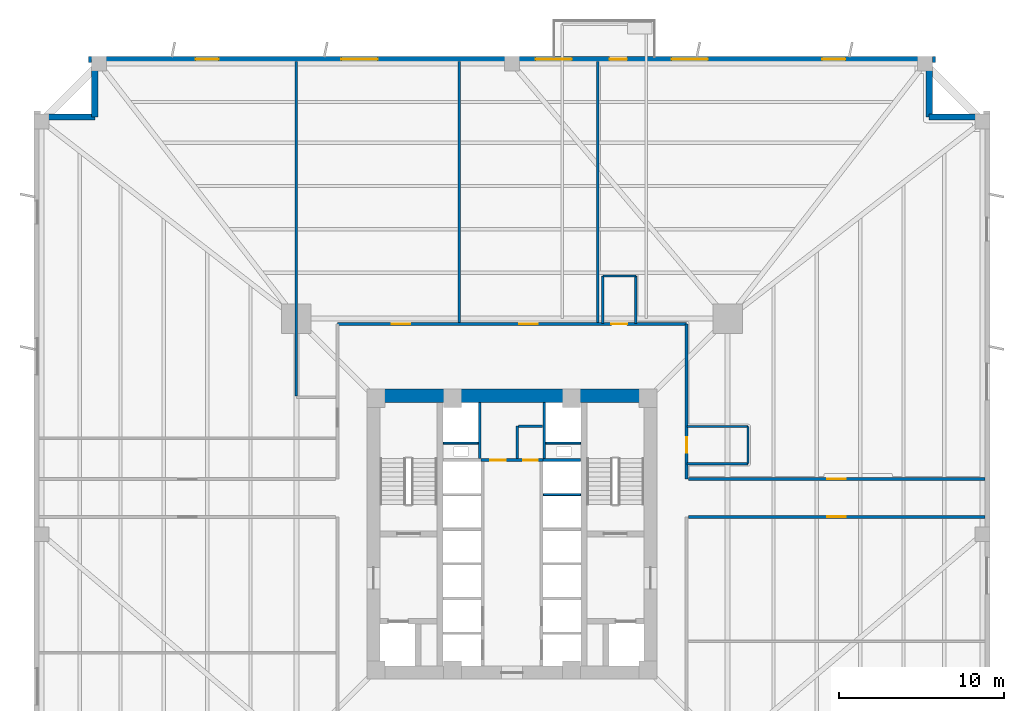
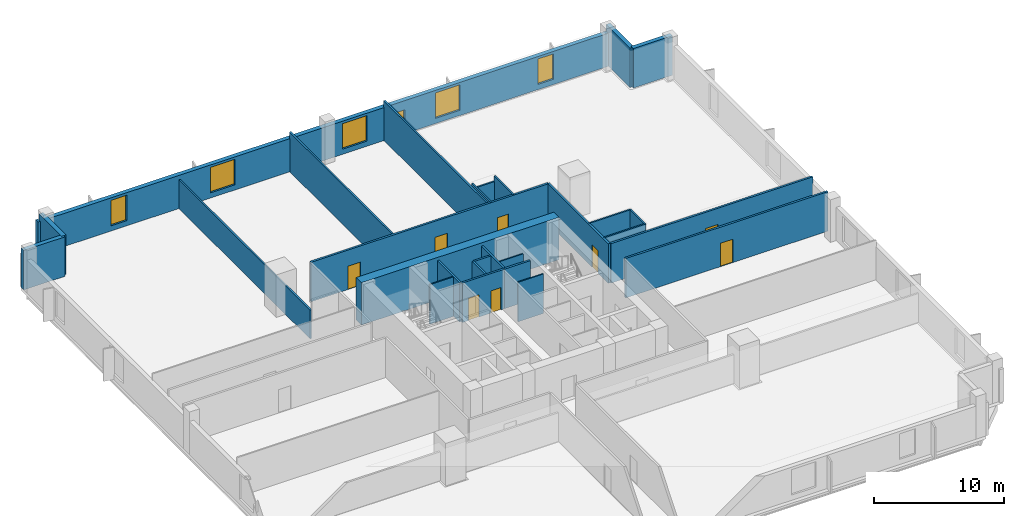
# One storey, part 4 of 8: 28 walls, 9 doors, 5 windows, 14 openings.
"""IFC4 building model written with IfcOpenShell, lengths in metres."""

from ifc_helpers import new_model, si_unit, direction, frame, frame_2d, origin, place, context, subcontext, project, spatial, rectangle, extrude, source, transform, mapped, material, layer, layer_set, type_object, element, fill, save


model = new_model("IFC4")

# Units and contexts
model_context = context("Model", 3, precision=1e-05, world=origin(), true_north=direction((0.0, 1.0)))
body_context = subcontext(model_context, "Body", "Model", "MODEL_VIEW")
ifc_project = project(units=[si_unit("LENGTHUNIT", "METRE"), si_unit("AREAUNIT", "SQUARE_METRE"), si_unit("VOLUMEUNIT", "CUBIC_METRE"), si_unit("PLANEANGLEUNIT", "RADIAN"), si_unit("MASSUNIT", "GRAM", prefix="KILO"), si_unit("THERMODYNAMICTEMPERATUREUNIT", "KELVIN")], contexts=[model_context])

# Site, building, storey
site_placement = place(None, origin())
site = spatial("IfcSite", under=ifc_project, at=site_placement, CompositionType="ELEMENT")
building_placement = place(site_placement, origin())
building = spatial("IfcBuilding", under=site, at=building_placement, Name="Kosmvard Interchange Tower", CompositionType="ELEMENT")
storey_placement = place(building_placement, frame((0.0, 0.0, 66.0)))
storey = spatial("IfcBuildingStorey", under=building, at=storey_placement, Name="L15", CompositionType="ELEMENT", Elevation=66.0)

# Walls
ifc_material_1 = material(Name="Acoustic gypsum partition system")
ifc_layer_1 = layer(ifc_material_1, 0.14990234375, Name="Acoustic gypsum partition system")
ifc_layer_set_1 = layer_set([ifc_layer_1], Name="Acoustic gypsum partition system")
wall_type_1 = type_object("IfcWallType", Name="Acoustic Suite & Meeting Partition 150", PredefinedType="PARTITIONING", material=ifc_layer_set_1)
wall_1_placement = place(storey_placement, frame((-13.0810546875, 8.375, 0.0), z_axis=(0.0, 0.0, 1.0), x_axis=(0.0, 1.0, 0.0)))
element("IfcWall", 1, at=wall_1_placement, inside=storey, type_object=wall_type_1, Name="L15 Room Partition 02.1", PredefinedType="PARTITIONING", context=body_context, shape_type="SweptSolid", body=[
    extrude(rectangle(XDim=20.31005859375, YDim=0.14990234375, at=frame_2d((10.155029296875, 0.0))), origin(), (0.0, 0.0, 1.0), 2.7119140625),
])
for number, where, z_axis, x_axis, name in (
    (2, (-3.199951171875, 12.844970703125, 0.0), (0.0, 0.0, 1.0), (0.0, 1.0, 0.0), "L15 Room Partition 03.1"),
    (3, (5.199951171875, 12.844970703125, 0.0), (0.0, 0.0, 1.0), (0.0, 1.0, 0.0), "L15 Room Partition 04.1"),
):
    element("IfcWall", number, at=place(storey_placement, frame(where, z_axis=z_axis, x_axis=x_axis)), inside=storey, type_object=wall_type_1, Name=name, PredefinedType="PARTITIONING", context=body_context, shape_type="SweptSolid", body=[
        extrude(rectangle(XDim=15.840087890625, YDim=0.14990234375, at=frame_2d((7.919921875, 0.0))), origin(), (0.0, 0.0, 1.0), 3.719970703125),
    ])
ifc_material_2 = material(Name="Fire-rated gypsum partition system")
ifc_layer_2 = layer(ifc_material_2, 0.159912109375, Name="Fire-rated gypsum partition system")
ifc_layer_set_2 = layer_set([ifc_layer_2], Name="Fire-rated gypsum partition system")
wall_type_2 = type_object("IfcWallType", Name="Core Compartment & Shuttle Lobby Partition 160", PredefinedType="PARTITIONING", material=ifc_layer_set_2)
for number, where, z_axis, x_axis, name in (
    (4, (-1.9599609375, 4.580078125, 0.0), (0.0, 0.0, 1.0), (0.0, 1.0, 0.0), "L15 North Core West Wall"),
    (5, (1.9599609375, 4.580078125, 0.0), (0.0, 0.0, 1.0), (0.0, 1.0, 0.0), "L15 North Core East Wall"),
):
    element("IfcWall", number, at=place(storey_placement, frame(where, z_axis=z_axis, x_axis=x_axis)), inside=storey, type_object=wall_type_2, Name=name, PredefinedType="PARTITIONING", context=body_context, shape_type="SweptSolid", body=[
        extrude(rectangle(XDim=3.39990234375, YDim=0.159912109375, at=frame_2d((1.699951171875, 0.0))), origin(), (0.0, 0.0, 1.0), 3.719970703125),
    ])
ifc_material_3 = material(Name="Concrete blockwork masonry", Category="masonry")
ifc_layer_3 = layer(ifc_material_3, 0.159912109375, Name="Concrete blockwork masonry")
ifc_layer_set_3 = layer_set([ifc_layer_3], Name="Concrete blockwork masonry")
wall_type_3 = type_object("IfcWallType", Name="Core Enclosure Split Wall 160", PredefinedType="PARTITIONING", material=ifc_layer_set_3)
wall_2_placement = place(storey_placement, frame((0.320068359375, 4.60009765625, 0.0), z_axis=(0.0, 0.0, 1.0), x_axis=(0.0, 1.0, 0.0)))
element("IfcWall", 6, at=wall_2_placement, inside=storey, type_object=wall_type_3, Name="L15 Core K3 L-Wall 1", PredefinedType="PARTITIONING", context=body_context, shape_type="SweptSolid", body=[
    extrude(rectangle(XDim=1.949951171875, YDim=0.159912109375, at=frame_2d((0.97509765625, 0.0))), origin(), (0.0, 0.0, 1.0), 3.719970703125),
])
wall_3_placement = place(storey_placement, frame((0.39990234375, 6.550048828125, 0.0), z_axis=(0.0, 0.0, 1.0), x_axis=(1.0, 0.0, 0.0)))
element("IfcWall", 7, at=wall_3_placement, inside=storey, type_object=wall_type_3, Name="L15 Core K3 L-Wall 2", PredefinedType="PARTITIONING", context=body_context, shape_type="SweptSolid", body=[
    extrude(rectangle(XDim=1.460205078125, YDim=0.159912109375, at=frame_2d((0.72998046875, 0.0))), origin(), (0.0, 0.0, 1.0), 3.719970703125),
])

# Wall, openings, doors
ifc_layer_4 = layer(ifc_material_2, 0.179931640625, Name="Fire-rated gypsum partition system")
ifc_layer_set_4 = layer_set([ifc_layer_4], Name="Fire-rated gypsum partition system")
wall_type_4 = type_object("IfcWallType", Name="Corridor & Hotel Compartment Partition 180", PredefinedType="PARTITIONING", material=ifc_layer_set_4)
wall_4_placement = place(storey_placement, frame((-1.8798828125, 4.489990234375, 0.0), z_axis=(0.0, 0.0, 1.0), x_axis=(1.0, 0.0, 0.0)))
wall_4 = element("IfcWall", 8, at=wall_4_placement, inside=storey, type_object=wall_type_4, Name="L15 Lift Lobby North Partition", PredefinedType="PARTITIONING", context=body_context, shape_type="SweptSolid", body=[
    extrude(rectangle(XDim=3.759765625, YDim=0.179931640625, at=frame_2d((1.8798828125, 0.0))), origin(), (0.0, 0.0, 1.0), 3.719970703125),
])
opening_1_placement = place(wall_4_placement, frame((0.550048828125, 0.0, 0.0)))
opening_1 = element("IfcOpeningElement", 9, at=opening_1_placement, cuts=wall_4, Name="Opening L15-KD1", PredefinedType="OPENING", context=body_context, shape_type="SweptSolid", body=[
    extrude(rectangle(XDim=0.949951171875, YDim=2.10009765625, at=frame_2d((0.47509765625, 1.050048828125))), frame((0.0, 0.10009765625, 0.0), z_axis=(0.0, -1.0, 0.0), x_axis=(1.0, 0.0, 0.0)), (0.0, 0.0, 1.0), 0.199951171875),
])
opening_2_placement = place(wall_4_placement, frame((2.56005859375, 0.0, 0.0)))
opening_2 = element("IfcOpeningElement", 10, at=opening_2_placement, cuts=wall_4, Name="Opening L15-KD2", PredefinedType="OPENING", context=body_context, shape_type="SweptSolid", body=[
    extrude(rectangle(XDim=0.8798828125, YDim=2.10009765625, at=frame_2d((0.43994140625, 1.050048828125))), frame((0.0, 0.10009765625, 0.0), z_axis=(0.0, -1.0, 0.0), x_axis=(1.0, 0.0, 0.0)), (0.0, 0.0, 1.0), 0.199951171875),
])
ifc_material_4 = material(Name="Painted fire-rated timber leaf", Category="wood")
door_type_1 = type_object("IfcDoorType", Name="Core Service Fire Door 950x2100 EI30", OperationType="NOTDEFINED", PredefinedType="DOOR", material=ifc_material_4)
shared_shape_1 = source(origin(), body_context, "Body", "SweptSolid", [
    extrude(rectangle(XDim=0.949951171875, YDim=2.10009765625, at=frame_2d((0.47509765625, 1.050048828125))), frame((0.0, 0.02490234375, 0.0), z_axis=(0.0, -1.0, 0.0), x_axis=(1.0, 0.0, 0.0)), (0.0, 0.0, 1.0), 0.050048828125),
])
door_1_placement = place(opening_1_placement, origin())
door_1 = element("IfcDoor", 11, at=door_1_placement, inside=storey, type_object=door_type_1, Name="L15 Core Archive Store Door", OperationType="SINGLE_SWING_LEFT", OverallHeight=2.10009765625, OverallWidth=0.949951171875, PredefinedType="DOOR", context=body_context, shape_type="MappedRepresentation", body=[
    mapped(shared_shape_1, transform((0.0, 0.0, 0.0), scale=1.0)),
])
fill(opening_1, door_1)
door_type_2 = type_object("IfcDoorType", Name="Core Cupboard Fire Door 880x2100 EI30", OperationType="NOTDEFINED", PredefinedType="DOOR", material=ifc_material_4)
shared_shape_2 = source(origin(), body_context, "Body", "SweptSolid", [
    extrude(rectangle(XDim=0.8798828125, YDim=2.10009765625, at=frame_2d((0.43994140625, 1.050048828125))), frame((0.0, 0.02490234375, 0.0), z_axis=(0.0, -1.0, 0.0), x_axis=(1.0, 0.0, 0.0)), (0.0, 0.0, 1.0), 0.050048828125),
])
door_2_placement = place(opening_2_placement, origin())
door_2 = element("IfcDoor", 12, at=door_2_placement, inside=storey, type_object=door_type_2, Name="L15 Core Supplies Cupboard Door", OperationType="SINGLE_SWING_RIGHT", OverallHeight=2.10009765625, OverallWidth=0.8798828125, PredefinedType="DOOR", context=body_context, shape_type="MappedRepresentation", body=[
    mapped(shared_shape_2, transform((0.0, 0.0, 0.0), scale=1.0)),
])
fill(opening_2, door_2)

wall_5_placement = place(storey_placement, frame((-10.60009765625, 12.75, 0.0), z_axis=(0.0, 0.0, 1.0), x_axis=(1.0, 0.0, 0.0)))
wall_5 = element("IfcWall", 13, at=wall_5_placement, inside=storey, type_object=wall_type_4, Name="L15 Corridor Wall CN", PredefinedType="PARTITIONING", context=body_context, shape_type="SweptSolid", body=[
    extrude(rectangle(XDim=21.2001953125, YDim=0.179931640625, at=frame_2d((10.60009765625, 0.0))), origin(), (0.0, 0.0, 1.0), 3.719970703125),
])
opening_3_placement = place(wall_5_placement, frame((16.635986328125, 0.0, 0.0)))
opening_3 = element("IfcOpeningElement", 14, at=opening_3_placement, cuts=wall_5, Name="Opening L15-D01", PredefinedType="OPENING", context=body_context, shape_type="SweptSolid", body=[
    extrude(rectangle(XDim=0.949951171875, YDim=2.10009765625, at=frame_2d((0.47509765625, 1.050048828125))), frame((0.0, 0.10009765625, 0.0), z_axis=(0.0, -1.0, 0.0), x_axis=(1.0, 0.0, 0.0)), (0.0, 0.0, 1.0), 0.199951171875),
])
opening_4_placement = place(wall_5_placement, frame((3.314453125, 0.0, 0.0)))
opening_4 = element("IfcOpeningElement", 15, at=opening_4_placement, cuts=wall_5, Name="Opening L15-D05", PredefinedType="OPENING", context=body_context, shape_type="SweptSolid", body=[
    extrude(rectangle(XDim=1.10009765625, YDim=2.199951171875, at=frame_2d((0.550048828125, 1.10009765625))), frame((0.0, 0.10009765625, 0.0), z_axis=(0.0, -1.0, 0.0), x_axis=(1.0, 0.0, 0.0)), (0.0, 0.0, 1.0), 0.199951171875),
])
opening_5_placement = place(wall_5_placement, frame((11.050048828125, 0.0, 0.0)))
opening_5 = element("IfcOpeningElement", 16, at=opening_5_placement, cuts=wall_5, Name="Opening L15-D06", PredefinedType="OPENING", context=body_context, shape_type="SweptSolid", body=[
    extrude(rectangle(XDim=1.10009765625, YDim=2.199951171875, at=frame_2d((0.550048828125, 1.10009765625))), frame((0.0, 0.10009765625, 0.0), z_axis=(0.0, -1.0, 0.0), x_axis=(1.0, 0.0, 0.0)), (0.0, 0.0, 1.0), 0.199951171875),
])
ifc_material_5 = material(Name="Laminated moisture-resistant timber", Category="wood")
door_type_3 = type_object("IfcDoorType", Name="Accessible Washroom Door 950x2100", OperationType="NOTDEFINED", PredefinedType="DOOR", material=ifc_material_5)
door_3_placement = place(opening_3_placement, origin())
door_3 = element("IfcDoor", 17, at=door_3_placement, inside=storey, type_object=door_type_3, Name="L15 Accessible Toilet Door", OperationType="SINGLE_SWING_LEFT", OverallHeight=2.10009765625, OverallWidth=0.949951171875, PredefinedType="DOOR", context=body_context, shape_type="MappedRepresentation", body=[
    mapped(shared_shape_1, transform((0.0, 0.0, 0.0), scale=1.0)),
])
fill(opening_3, door_3)
ifc_material_6 = material(Name="Engineered oak fire-rated timber", Category="wood")
door_type_4 = type_object("IfcDoorType", Name="Office Suite Entrance Door 1100x2200 FD30S", OperationType="NOTDEFINED", PredefinedType="DOOR", material=ifc_material_6)
shared_shape_3 = source(origin(), body_context, "Body", "SweptSolid", [
    extrude(rectangle(XDim=1.10009765625, YDim=2.199951171875, at=frame_2d((0.550048828125, 1.10009765625))), frame((0.0, 0.02490234375, 0.0), z_axis=(0.0, -1.0, 0.0), x_axis=(1.0, 0.0, 0.0)), (0.0, 0.0, 1.0), 0.050048828125),
])
door_4_placement = place(opening_4_placement, origin())
door_4 = element("IfcDoor", 18, at=door_4_placement, inside=storey, type_object=door_type_4, Name="L15 Executive Reading Study Door", OperationType="SINGLE_SWING_LEFT", OverallHeight=2.199951171875, OverallWidth=1.10009765625, PredefinedType="DOOR", context=body_context, shape_type="MappedRepresentation", body=[
    mapped(shared_shape_3, transform((0.0, 0.0, 0.0), scale=1.0)),
])
fill(opening_4, door_4)
door_5_placement = place(opening_5_placement, origin())
door_5 = element("IfcDoor", 19, at=door_5_placement, inside=storey, type_object=door_type_4, Name="L15 Tenant Club Lounge Door", OperationType="SINGLE_SWING_RIGHT", OverallHeight=2.199951171875, OverallWidth=1.10009765625, PredefinedType="DOOR", context=body_context, shape_type="MappedRepresentation", body=[
    mapped(shared_shape_3, transform((0.0, 0.0, 0.0), scale=1.0)),
])
fill(opening_5, door_5)

# Wall, opening, door
wall_6_placement = place(storey_placement, frame((10.60009765625, 3.35009765625, 0.0), z_axis=(0.0, 0.0, 1.0), x_axis=(0.0, 1.0, 0.0)))
wall_6 = element("IfcWall", 20, at=wall_6_placement, inside=storey, type_object=wall_type_4, Name="L15 Corridor Wall CEN", PredefinedType="PARTITIONING", context=body_context, shape_type="SweptSolid", body=[
    extrude(rectangle(XDim=9.39990234375, YDim=0.179931640625, at=frame_2d((4.699951171875, 0.0))), origin(), (0.0, 0.0, 1.0), 3.719970703125),
])
opening_6_placement = place(wall_6_placement, frame((1.580078125, 0.0, 0.0)))
opening_6 = element("IfcOpeningElement", 21, at=opening_6_placement, cuts=wall_6, Name="Opening L15-D02", PredefinedType="OPENING", context=body_context, shape_type="SweptSolid", body=[
    extrude(rectangle(XDim=0.949951171875, YDim=2.10009765625, at=frame_2d((0.47509765625, 1.050048828125))), frame((0.0, 0.10009765625, 0.0), z_axis=(0.0, -1.0, 0.0), x_axis=(1.0, 0.0, 0.0)), (0.0, 0.0, 1.0), 0.199951171875),
])
door_6_placement = place(opening_6_placement, frame((0.949951171875, 0.0, 0.0), z_axis=(0.0, 0.0, 1.0), x_axis=(-1.0, 0.0, 0.0)))
door_6 = element("IfcDoor", 22, at=door_6_placement, inside=storey, type_object=door_type_3, Name="L15 Public Floor Washroom Door", OperationType="SINGLE_SWING_RIGHT", OverallHeight=2.10009765625, OverallWidth=0.949951171875, PredefinedType="DOOR", context=body_context, shape_type="MappedRepresentation", body=[
    mapped(shared_shape_1, transform((0.0, 0.0, 0.0), scale=1.0)),
])
fill(opening_6, door_6)

wall_7_placement = place(storey_placement, frame((10.699951171875, 1.050048828125, 0.0), z_axis=(0.0, 0.0, 1.0), x_axis=(1.0, 0.0, 0.0)))
wall_7 = element("IfcWall", 23, at=wall_7_placement, inside=storey, type_object=wall_type_4, Name="L15 Corridor Wall SES", PredefinedType="PARTITIONING", context=body_context, shape_type="SweptSolid", body=[
    extrude(rectangle(XDim=17.985107421875, YDim=0.179931640625, at=frame_2d((8.99267578125, 0.0))), origin(), (0.0, 0.0, 1.0), 3.719970703125),
])
opening_7_placement = place(wall_7_placement, frame((8.4423828125, 0.0, 0.0)))
opening_7 = element("IfcOpeningElement", 24, at=opening_7_placement, cuts=wall_7, Name="Opening L15-D08", PredefinedType="OPENING", context=body_context, shape_type="SweptSolid", body=[
    extrude(rectangle(XDim=1.10009765625, YDim=2.199951171875, at=frame_2d((0.550048828125, 1.10009765625))), frame((0.0, 0.10009765625, 0.0), z_axis=(0.0, -1.0, 0.0), x_axis=(1.0, 0.0, 0.0)), (0.0, 0.0, 1.0), 0.199951171875),
])
door_7_placement = place(opening_7_placement, frame((1.10009765625, 0.0, 0.0), z_axis=(0.0, 0.0, 1.0), x_axis=(-1.0, 0.0, 0.0)))
door_7 = element("IfcDoor", 25, at=door_7_placement, inside=storey, type_object=door_type_4, Name="L15 East Partner Office 1 Door", OperationType="SINGLE_SWING_RIGHT", OverallHeight=2.199951171875, OverallWidth=1.10009765625, PredefinedType="DOOR", context=body_context, shape_type="MappedRepresentation", body=[
    mapped(shared_shape_3, transform((0.0, 0.0, 0.0), scale=1.0)),
])
fill(opening_7, door_7)

wall_8_placement = place(storey_placement, frame((10.699951171875, 3.35009765625, 0.0), z_axis=(0.0, 0.0, 1.0), x_axis=(1.0, 0.0, 0.0)))
wall_8 = element("IfcWall", 26, at=wall_8_placement, inside=storey, type_object=wall_type_4, Name="L15 Corridor Wall SEN", PredefinedType="PARTITIONING", context=body_context, shape_type="SweptSolid", body=[
    extrude(rectangle(XDim=17.985107421875, YDim=0.179931640625, at=frame_2d((8.99267578125, 0.0))), origin(), (0.0, 0.0, 1.0), 3.719970703125),
])
opening_8_placement = place(wall_8_placement, frame((8.4423828125, 0.0, 0.0)))
opening_8 = element("IfcOpeningElement", 27, at=opening_8_placement, cuts=wall_8, Name="Opening L15-D07", PredefinedType="OPENING", context=body_context, shape_type="SweptSolid", body=[
    extrude(rectangle(XDim=1.10009765625, YDim=2.199951171875, at=frame_2d((0.550048828125, 1.10009765625))), frame((0.0, 0.10009765625, 0.0), z_axis=(0.0, -1.0, 0.0), x_axis=(1.0, 0.0, 0.0)), (0.0, 0.0, 1.0), 0.199951171875),
])
door_8_placement = place(opening_8_placement, origin())
door_8 = element("IfcDoor", 28, at=door_8_placement, inside=storey, type_object=door_type_4, Name="L15 North-East Open Workplace Door", OperationType="SINGLE_SWING_LEFT", OverallHeight=2.199951171875, OverallWidth=1.10009765625, PredefinedType="DOOR", context=body_context, shape_type="MappedRepresentation", body=[
    mapped(shared_shape_3, transform((0.0, 0.0, 0.0), scale=1.0)),
])
fill(opening_8, door_8)

# Walls
ifc_material_7 = material(Name="Concrete C80/95", Category="concrete")
ifc_layer_5 = layer(ifc_material_7, 0.800048828125, Name="Concrete C80/95")
ifc_layer_set_5 = layer_set([ifc_layer_5], Name="Concrete C80/95")
wall_type_5 = type_object("IfcWallType", Name="Lower Core Shear Wall 800 C80/95", PredefinedType="SHEAR", material=ifc_layer_set_5)
wall_9_placement = place(storey_placement, frame((-8.800048828125, 8.39990234375, 0.0), z_axis=(0.0, 0.0, 1.0), x_axis=(1.0, 0.0, 0.0)))
element("IfcWall", 29, at=wall_9_placement, inside=storey, type_object=wall_type_5, Name="L15 Core Shear Wall CW-N", PredefinedType="SHEAR", context=body_context, shape_type="SweptSolid", body=[
    extrude(rectangle(XDim=17.60009765625, YDim=0.800048828125, at=frame_2d((8.800048828125, 0.0))), origin(), (0.0, 0.0, 1.0), 4.0),
])
ifc_material_8 = material(Name="Precast concrete C45/55", Category="concrete")
ifc_layer_6 = layer(ifc_material_8, 0.3798828125, Name="Precast concrete C45/55")
ifc_layer_set_6 = layer_set([ifc_layer_6], Name="Precast concrete C45/55")
wall_type_6 = type_object("IfcWallType", Name="Lower Tower Precast Pier Wall 380 C45/55", PredefinedType="STANDARD", material=ifc_layer_set_6)
wall_10_placement = place(storey_placement, frame((28.81005859375, 25.31005859375, 0.0), z_axis=(0.0, 0.0, 1.0), x_axis=(-1.0, 0.0, 0.0)))
element("IfcWall", 30, at=wall_10_placement, inside=storey, type_object=wall_type_6, Name="L15 Precast Facade Wall N-NE1", PredefinedType="STANDARD", context=body_context, shape_type="SweptSolid", body=[
    extrude(rectangle(XDim=3.5, YDim=0.3798828125, at=frame_2d((1.75, 0.0))), origin(), (0.0, 0.0, 1.0), 3.719970703125),
])
wall_11_placement = place(storey_placement, frame((25.31005859375, 25.31005859375, 0.0), z_axis=(0.0, 0.0, 1.0), x_axis=(0.0, 1.0, 0.0)))
element("IfcWall", 31, at=wall_11_placement, inside=storey, type_object=wall_type_6, Name="L15 Precast Facade Wall N-NE2", PredefinedType="STANDARD", context=body_context, shape_type="SweptSolid", body=[
    extrude(rectangle(XDim=3.68994140625, YDim=0.3798828125, at=frame_2d((1.844970703125, 0.0))), origin(), (0.0, 0.0, 1.0), 3.719970703125),
])

# Wall, openings, door, windows
wall_12_placement = place(storey_placement, frame((25.68994140625, 28.81005859375, 0.0), z_axis=(0.0, 0.0, 1.0), x_axis=(-1.0, 0.0, 0.0)))
wall_12 = element("IfcWall", 32, at=wall_12_placement, inside=storey, type_object=wall_type_6, Name="L15 Precast Facade Wall F-N", PredefinedType="STANDARD", context=body_context, shape_type="SweptSolid", body=[
    extrude(rectangle(XDim=51.3798828125, YDim=0.3798828125, at=frame_2d((25.68994140625, 0.0))), origin(), (0.0, 0.0, 1.0), 3.1201171875),
])
opening_9_placement = place(wall_12_placement, frame((18.715087890625, 0.0, 0.0)))
opening_9 = element("IfcOpeningElement", 33, at=opening_9_placement, cuts=wall_12, Name="Opening L15-BDN", PredefinedType="OPENING", context=body_context, shape_type="SweptSolid", body=[
    extrude(rectangle(XDim=1.050048828125, YDim=2.25, at=frame_2d((0.52490234375, 1.125))), frame((0.0, 0.199951171875, 0.0), z_axis=(0.0, -1.0, 0.0), x_axis=(1.0, 0.0, 0.0)), (0.0, 0.0, 1.0), 0.39990234375),
])
opening_10_placement = place(wall_12_placement, frame((5.465576171875, 0.0, 0.489990234375)))
opening_10 = element("IfcOpeningElement", 34, at=opening_10_placement, cuts=wall_12, Name="Opening L15-W10", PredefinedType="OPENING", context=body_context, shape_type="SweptSolid", body=[
    extrude(rectangle(XDim=1.39990234375, YDim=2.39990234375, at=frame_2d((0.699951171875, 1.199951171875))), frame((0.0, 0.199951171875, 0.0), z_axis=(0.0, -1.0, 0.0), x_axis=(1.0, 0.0, 0.0)), (0.0, 0.0, 1.0), 0.39990234375),
])
opening_11_placement = place(wall_12_placement, frame((13.80029296875, 0.0, 0.489990234375)))
opening_11 = element("IfcOpeningElement", 35, at=opening_11_placement, cuts=wall_12, Name="Opening L15-W11", PredefinedType="OPENING", context=body_context, shape_type="SweptSolid", body=[
    extrude(rectangle(XDim=2.199951171875, YDim=2.39990234375, at=frame_2d((1.10009765625, 1.199951171875))), frame((0.0, 0.199951171875, 0.0), z_axis=(0.0, -1.0, 0.0), x_axis=(1.0, 0.0, 0.0)), (0.0, 0.0, 1.0), 0.39990234375),
])
opening_12_placement = place(wall_12_placement, frame((22.0625, 0.0, 0.489990234375)))
opening_12 = element("IfcOpeningElement", 36, at=opening_12_placement, cuts=wall_12, Name="Opening L15-W12", PredefinedType="OPENING", context=body_context, shape_type="SweptSolid", body=[
    extrude(rectangle(XDim=2.199951171875, YDim=2.39990234375, at=frame_2d((1.10009765625, 1.199951171875))), frame((0.0, 0.199951171875, 0.0), z_axis=(0.0, -1.0, 0.0), x_axis=(1.0, 0.0, 0.0)), (0.0, 0.0, 1.0), 0.39990234375),
])
opening_13_placement = place(wall_12_placement, frame((33.83837890625, 0.0, 0.489990234375)))
opening_13 = element("IfcOpeningElement", 37, at=opening_13_placement, cuts=wall_12, Name="Opening L15-W13", PredefinedType="OPENING", context=body_context, shape_type="SweptSolid", body=[
    extrude(rectangle(XDim=2.199951171875, YDim=2.39990234375, at=frame_2d((1.10009765625, 1.199951171875))), frame((0.0, 0.199951171875, 0.0), z_axis=(0.0, -1.0, 0.0), x_axis=(1.0, 0.0, 0.0)), (0.0, 0.0, 1.0), 0.39990234375),
])
opening_14_placement = place(wall_12_placement, frame((43.48681640625, 0.0, 0.489990234375)))
opening_14 = element("IfcOpeningElement", 38, at=opening_14_placement, cuts=wall_12, Name="Opening L15-W14", PredefinedType="OPENING", context=body_context, shape_type="SweptSolid", body=[
    extrude(rectangle(XDim=1.39990234375, YDim=2.39990234375, at=frame_2d((0.699951171875, 1.199951171875))), frame((0.0, 0.199951171875, 0.0), z_axis=(0.0, -1.0, 0.0), x_axis=(1.0, 0.0, 0.0)), (0.0, 0.0, 1.0), 0.39990234375),
])
ifc_material_9 = material(Name="Anodised aluminium and safety glass", Category="aluminium")
door_type_5 = type_object("IfcDoorType", Name="Tree-Balcony Glazed Door 1050x2250", OperationType="NOTDEFINED", PredefinedType="DOOR", material=ifc_material_9)
shared_shape_4 = source(origin(), body_context, "Body", "SweptSolid", [
    extrude(rectangle(XDim=1.050048828125, YDim=2.25, at=frame_2d((0.52490234375, 1.125))), frame((0.0, 0.02490234375, 0.0), z_axis=(0.0, -1.0, 0.0), x_axis=(1.0, 0.0, 0.0)), (0.0, 0.0, 1.0), 0.050048828125),
])
door_9_placement = place(opening_9_placement, origin())
door_9 = element("IfcDoor", 39, at=door_9_placement, inside=storey, type_object=door_type_5, Name="L15 Tree-Balcony Door BAL-L15-N", OperationType="SINGLE_SWING_RIGHT", OverallHeight=2.25, OverallWidth=1.050048828125, PredefinedType="DOOR", context=body_context, shape_type="MappedRepresentation", body=[
    mapped(shared_shape_4, transform((0.0, 0.0, 0.0), scale=1.0)),
])
fill(opening_9, door_9)
ifc_material_10 = material(Name="Low-E solar-control double glazing", Category="glass")
window_type_1 = type_object("IfcWindowType", Name="Notched Corner Feature Window 1400x2400", PartitioningType="SINGLE_PANEL", PredefinedType="WINDOW", material=ifc_material_10)
shared_shape_5 = source(origin(), body_context, "Body", "SweptSolid", [
    extrude(rectangle(XDim=1.39990234375, YDim=2.39990234375, at=frame_2d((0.699951171875, 1.199951171875))), frame((0.0, 0.030029296875, 0.0), z_axis=(0.0, -1.0, 0.0), x_axis=(1.0, 0.0, 0.0)), (0.0, 0.0, 1.0), 0.06005859375),
])
window_1_placement = place(opening_10_placement, origin())
window_1 = element("IfcWindow", 40, at=window_1_placement, inside=storey, type_object=window_type_1, Name="L15 Facade Punched Window 10", OverallHeight=2.39990234375, OverallWidth=1.39990234375, PartitioningType="SINGLE_PANEL", PredefinedType="WINDOW", context=body_context, shape_type="MappedRepresentation", body=[
    mapped(shared_shape_5, transform((0.0, 0.0, 0.0), scale=1.0)),
])
fill(opening_10, window_1)
window_2_placement = place(opening_14_placement, origin())
window_2 = element("IfcWindow", 41, at=window_2_placement, inside=storey, type_object=window_type_1, Name="L15 Facade Punched Window 14", OverallHeight=2.39990234375, OverallWidth=1.39990234375, PartitioningType="SINGLE_PANEL", PredefinedType="WINDOW", context=body_context, shape_type="MappedRepresentation", body=[
    mapped(shared_shape_5, transform((0.0, 0.0, 0.0), scale=1.0)),
])
fill(opening_14, window_2)
window_type_2 = type_object("IfcWindowType", Name="Zone 1 Office Punched Window 2200x2400", PartitioningType="SINGLE_PANEL", PredefinedType="WINDOW", material=ifc_material_10)
shared_shape_6 = source(origin(), body_context, "Body", "SweptSolid", [
    extrude(rectangle(XDim=2.199951171875, YDim=2.39990234375, at=frame_2d((1.10009765625, 1.199951171875))), frame((0.0, 0.030029296875, 0.0), z_axis=(0.0, -1.0, 0.0), x_axis=(1.0, 0.0, 0.0)), (0.0, 0.0, 1.0), 0.06005859375),
])
window_3_placement = place(opening_11_placement, origin())
window_3 = element("IfcWindow", 42, at=window_3_placement, inside=storey, type_object=window_type_2, Name="L15 Facade Punched Window 11", OverallHeight=2.39990234375, OverallWidth=2.199951171875, PartitioningType="SINGLE_PANEL", PredefinedType="WINDOW", context=body_context, shape_type="MappedRepresentation", body=[
    mapped(shared_shape_6, transform((0.0, 0.0, 0.0), scale=1.0)),
])
fill(opening_11, window_3)
window_4_placement = place(opening_12_placement, origin())
window_4 = element("IfcWindow", 43, at=window_4_placement, inside=storey, type_object=window_type_2, Name="L15 Facade Punched Window 12", OverallHeight=2.39990234375, OverallWidth=2.199951171875, PartitioningType="SINGLE_PANEL", PredefinedType="WINDOW", context=body_context, shape_type="MappedRepresentation", body=[
    mapped(shared_shape_6, transform((0.0, 0.0, 0.0), scale=1.0)),
])
fill(opening_12, window_4)
window_5_placement = place(opening_13_placement, origin())
window_5 = element("IfcWindow", 44, at=window_5_placement, inside=storey, type_object=window_type_2, Name="L15 Facade Punched Window 13", OverallHeight=2.39990234375, OverallWidth=2.199951171875, PartitioningType="SINGLE_PANEL", PredefinedType="WINDOW", context=body_context, shape_type="MappedRepresentation", body=[
    mapped(shared_shape_6, transform((0.0, 0.0, 0.0), scale=1.0)),
])
fill(opening_13, window_5)

# Walls
wall_13_placement = place(storey_placement, frame((-25.31005859375, 28.81005859375, 0.0), z_axis=(0.0, 0.0, 1.0), x_axis=(0.0, -1.0, 0.0)))
element("IfcWall", 45, at=wall_13_placement, inside=storey, type_object=wall_type_6, Name="L15 Precast Facade Wall N-NW1", PredefinedType="STANDARD", context=body_context, shape_type="SweptSolid", body=[
    extrude(rectangle(XDim=3.5, YDim=0.3798828125, at=frame_2d((1.75, 0.0))), origin(), (0.0, 0.0, 1.0), 3.719970703125),
])
wall_14_placement = place(storey_placement, frame((-25.31005859375, 25.31005859375, 0.0), z_axis=(0.0, 0.0, 1.0), x_axis=(-1.0, 0.0, 0.0)))
element("IfcWall", 46, at=wall_14_placement, inside=storey, type_object=wall_type_6, Name="L15 Precast Facade Wall N-NW2", PredefinedType="STANDARD", context=body_context, shape_type="SweptSolid", body=[
    extrude(rectangle(XDim=3.68994140625, YDim=0.3798828125, at=frame_2d((1.844970703125, 0.0))), origin(), (0.0, 0.0, 1.0), 3.719970703125),
])
ifc_layer_7 = layer(ifc_material_3, 0.179931640625, Name="Concrete blockwork masonry")
ifc_layer_set_7 = layer_set([ifc_layer_7], Name="Concrete blockwork masonry")
wall_type_7 = type_object("IfcWallType", Name="Riser & Lift Bank Divider Wall 180", PredefinedType="PARTITIONING", material=ifc_layer_set_7)
wall_15_placement = place(storey_placement, frame((1.889892578125, 4.489990234375, 0.0), z_axis=(0.0, 0.0, 1.0), x_axis=(1.0, 0.0, 0.0)))
element("IfcWall", 47, at=wall_15_placement, inside=storey, type_object=wall_type_7, Name="L15 East Bank Divider BD3", PredefinedType="PARTITIONING", context=body_context, shape_type="SweptSolid", body=[
    extrude(rectangle(XDim=2.280029296875, YDim=0.179931640625, at=frame_2d((1.14013671875, 0.0))), origin(), (0.0, 0.0, 1.0), 3.719970703125),
])
ifc_material_11 = material(Name="Fire-rated gypsum shaftwall system")
ifc_layer_8 = layer(ifc_material_11, 0.1201171875, Name="Fire-rated gypsum shaftwall system")
ifc_layer_set_8 = layer_set([ifc_layer_8], Name="Fire-rated gypsum shaftwall system")
wall_type_8 = type_object("IfcWallType", Name="Shaft & Riser Fire Partition 120 EI60", PredefinedType="PARTITIONING", material=ifc_layer_set_8)
wall_16_placement = place(storey_placement, frame((1.89990234375, 2.39990234375, 0.0), z_axis=(0.0, 0.0, 1.0), x_axis=(1.0, 0.0, 0.0)))
element("IfcWall", 48, at=wall_16_placement, inside=storey, type_object=wall_type_8, Name="L15 Shaft Divider PL-H3", PredefinedType="PARTITIONING", context=body_context, shape_type="SweptSolid", body=[
    extrude(rectangle(XDim=2.260009765625, YDim=0.1201171875, at=frame_2d((1.1298828125, 0.0))), origin(), (0.0, 0.0, 1.0), 3.719970703125),
])
for number, where, z_axis, x_axis, name in (
    (49, (-4.159912109375, 5.52001953125, 0.0), (0.0, 0.0, 1.0), (1.0, 0.0, 0.0), "L15 Riser Shaft Divider W"),
    (50, (2.06005859375, 5.52001953125, 0.0), (0.0, 0.0, 1.0), (1.0, 0.0, 0.0), "L15 Riser Shaft Divider E"),
):
    element("IfcWall", number, at=place(storey_placement, frame(where, z_axis=z_axis, x_axis=x_axis)), inside=storey, type_object=wall_type_8, Name=name, PredefinedType="PARTITIONING", context=body_context, shape_type="SweptSolid", body=[
        extrude(rectangle(XDim=2.099853515625, YDim=0.1201171875, at=frame_2d((1.0498046875, 0.0))), origin(), (0.0, 0.0, 1.0), 3.719970703125),
    ])
ifc_material_12 = material(Name="Moisture-resistant gypsum partition")
ifc_layer_9 = layer(ifc_material_12, 0.135009765625, Name="Moisture-resistant gypsum partition")
ifc_layer_set_9 = layer_set([ifc_layer_9], Name="Moisture-resistant gypsum partition")
wall_type_9 = type_object("IfcWallType", Name="Wet Room Moisture-Resistant Partition 135", PredefinedType="PARTITIONING", material=ifc_layer_set_9)
wall_17_placement = place(storey_placement, frame((7.510986328125, 12.77001953125, 0.0), z_axis=(0.0, 0.0, 1.0), x_axis=(0.0, 1.0, 0.0)))
element("IfcWall", 51, at=wall_17_placement, inside=storey, type_object=wall_type_9, Name="L15 Washroom Partition AWC1-E", PredefinedType="PARTITIONING", context=body_context, shape_type="SweptSolid", body=[
    extrude(rectangle(XDim=2.89990234375, YDim=0.135009765625, at=frame_2d((1.449951171875, 0.0))), origin(), (0.0, 0.0, 1.0), 3.719970703125),
])
wall_18_placement = place(storey_placement, frame((5.510986328125, 15.669921875, 0.0), z_axis=(0.0, 0.0, 1.0), x_axis=(1.0, 0.0, 0.0)))
element("IfcWall", 52, at=wall_18_placement, inside=storey, type_object=wall_type_9, Name="L15 Washroom Partition AWC1-N", PredefinedType="PARTITIONING", context=body_context, shape_type="SweptSolid", body=[
    extrude(rectangle(XDim=2.0, YDim=0.135009765625, at=frame_2d((1.0, 0.0))), origin(), (0.0, 0.0, 1.0), 3.219970703125),
])
wall_19_placement = place(storey_placement, frame((5.510986328125, 12.77001953125, 0.0), z_axis=(0.0, 0.0, 1.0), x_axis=(0.0, 1.0, 0.0)))
element("IfcWall", 53, at=wall_19_placement, inside=storey, type_object=wall_type_9, Name="L15 Washroom Partition AWC1-W", PredefinedType="PARTITIONING", context=body_context, shape_type="SweptSolid", body=[
    extrude(rectangle(XDim=2.89990234375, YDim=0.135009765625, at=frame_2d((1.449951171875, 0.0))), origin(), (0.0, 0.0, 1.0), 3.719970703125),
])
wall_20_placement = place(storey_placement, frame((10.6201171875, 4.280029296875, 0.0), z_axis=(0.0, 0.0, 1.0), x_axis=(1.0, 0.0, 0.0)))
element("IfcWall", 54, at=wall_20_placement, inside=storey, type_object=wall_type_9, Name="L15 Washroom Partition WC1-S", PredefinedType="PARTITIONING", context=body_context, shape_type="SweptSolid", body=[
    extrude(rectangle(XDim=3.699951171875, YDim=0.135009765625, at=frame_2d((1.85009765625, 0.0))), origin(), (0.0, 0.0, 1.0), 3.719970703125),
])
wall_21_placement = place(storey_placement, frame((14.320068359375, 4.280029296875, 0.0), z_axis=(0.0, 0.0, 1.0), x_axis=(0.0, 1.0, 0.0)))
element("IfcWall", 55, at=wall_21_placement, inside=storey, type_object=wall_type_9, Name="L15 Washroom Partition WC1-E", PredefinedType="PARTITIONING", context=body_context, shape_type="SweptSolid", body=[
    extrude(rectangle(XDim=2.25, YDim=0.135009765625, at=frame_2d((1.125, 0.0))), origin(), (0.0, 0.0, 1.0), 3.719970703125),
])
wall_22_placement = place(storey_placement, frame((10.6201171875, 6.530029296875, 0.0), z_axis=(0.0, 0.0, 1.0), x_axis=(1.0, 0.0, 0.0)))
element("IfcWall", 56, at=wall_22_placement, inside=storey, type_object=wall_type_9, Name="L15 Washroom Partition WC1-N", PredefinedType="PARTITIONING", context=body_context, shape_type="SweptSolid", body=[
    extrude(rectangle(XDim=3.699951171875, YDim=0.135009765625, at=frame_2d((1.85009765625, 0.0))), origin(), (0.0, 0.0, 1.0), 3.719970703125),
])

save(model, "model.ifc")
